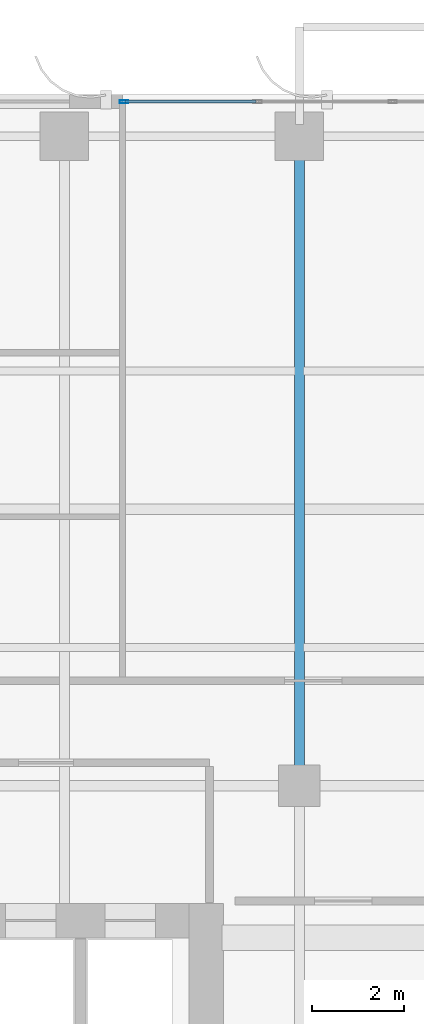
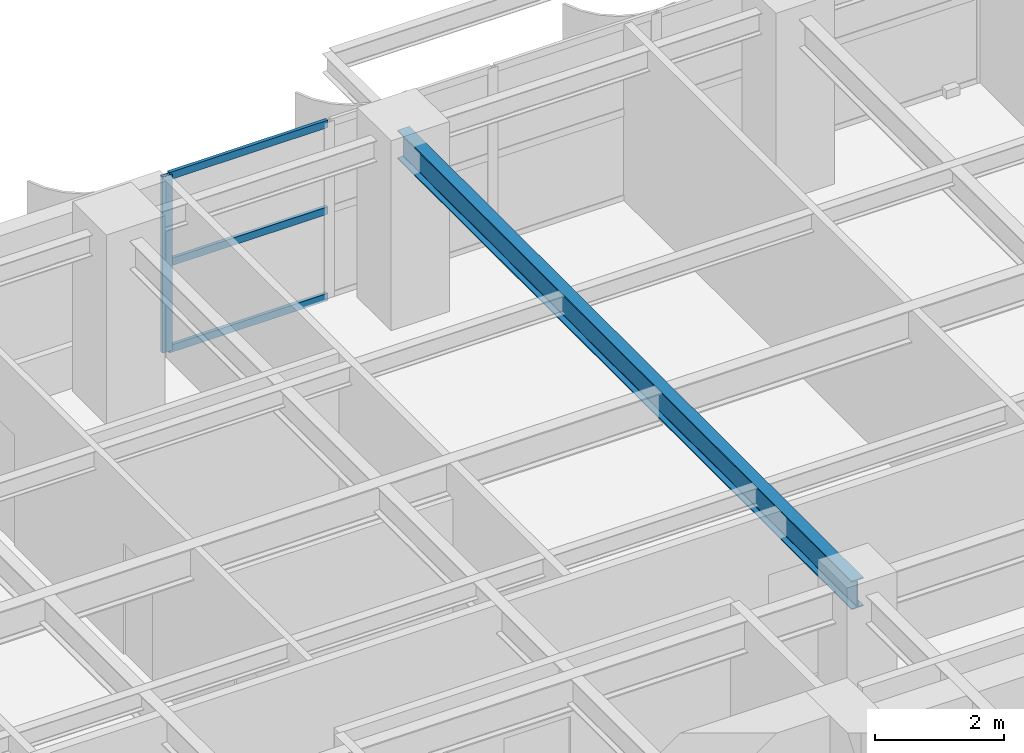
# One storey, part 13 of 27: 4 members, 1 beam, 1 element without a shape of its own.
"""IFC4 building model written with IfcOpenShell, lengths in metres."""

from ifc_helpers import new_model, si_unit, direction, frame, origin, origin_2d, place, context, subcontext, project, spatial, hollow_rectangle, i_section, extrude, source, transform, mapped, material, layer, layer_set, material_profile, profile_set, type_object, element, aggregate, save


model = new_model("IFC4")

# Units and contexts
model_context = context("Model", 3, precision=1e-05, world=origin(), true_north=direction((0.0, 1.0)))
body_context = subcontext(model_context, "Body", "Model", "MODEL_VIEW")
ifc_project = project(units=[si_unit("LENGTHUNIT", "METRE"), si_unit("AREAUNIT", "SQUARE_METRE"), si_unit("VOLUMEUNIT", "CUBIC_METRE"), si_unit("PLANEANGLEUNIT", "RADIAN"), si_unit("MASSUNIT", "GRAM", prefix="KILO")], contexts=[model_context])

# Site, building, storey
site_placement = place(None, origin())
site = spatial("IfcSite", under=ifc_project, at=site_placement, CompositionType="ELEMENT")
building_placement = place(site_placement, origin())
building = spatial("IfcBuilding", under=site, at=building_placement, Name="Khoralis Quay Care Tower", CompositionType="ELEMENT")
storey_placement = place(building_placement, frame((0.0, 0.0, 105.300048828125)))
storey = spatial("IfcBuildingStorey", under=building, at=storey_placement, Name="L27", CompositionType="ELEMENT", Elevation=105.300048828125)

# Beam
ifc_material_1 = material(Name="Steel S355", Category="steel")
ifc_material_profile_1 = material_profile(ifc_material_1, i_section(OverallWidth=0.2119140625, OverallDepth=0.5439453125, WebThickness=0.01318359375, FlangeThickness=0.021240234375, FilletRadius=0.01611328125, at=origin_2d()), Name="Steel S355")
ifc_profile_set_1 = profile_set([ifc_material_profile_1], Name="Steel S355")
beam_type = type_object("IfcBeamType", Name="BM-W530X123", PredefinedType="BEAM", material=ifc_profile_set_1)
shared_shape_1 = source(origin(), body_context, "Body", "SweptSolid", [
    extrude(i_section(OverallWidth=0.2119140625, OverallDepth=0.5439453125, WebThickness=0.01318359375, FlangeThickness=0.021240234375, FilletRadius=0.01611328125, at=origin_2d()), origin(), (0.0, 0.0, 1.0), 14.10009765625),
])
beam_placement = place(storey_placement, frame((17.10009765625, 30.0, 3.06787109375), z_axis=(0.0, 1.0, 0.0), x_axis=(-1.0, 0.0, 0.0)))
element("IfcBeam", 1, at=beam_placement, inside=storey, type_object=beam_type, Name="BM-TGYN-L27-171", PredefinedType="BEAM", context=body_context, shape_type="MappedRepresentation", body=[
    mapped(shared_shape_1, transform((0.0, 0.0, 0.0), scale=1.0)),
])

# Curtain wall, members
ifc_material_2 = material(Name="Pale anodised aluminium", Category="aluminium")
ifc_layer = layer(ifc_material_2, 0.169921875)
ifc_layer_set = layer_set([ifc_layer], Name="Pale anodised aluminium")
curtain_wall_type = type_object("IfcCurtainWallType", Name="CW-SYS-Z2", PredefinedType="NOTDEFINED", material=ifc_layer_set)
curtain_wall_placement = place(storey_placement, origin())
curtain_wall = element("IfcCurtainWall", 2, at=curtain_wall_placement, inside=storey, type_object=curtain_wall_type, Name="L27 Unitised Curtain Wall CW-L27-P1-E10", PredefinedType="NOTDEFINED")
ifc_material_profile_2 = material_profile(ifc_material_2, hollow_rectangle(XDim=0.06494140625, YDim=0.179931640625, WallThickness=0.00390625, at=origin_2d()), Name="Pale anodised aluminium")
ifc_profile_set_2 = profile_set([ifc_material_profile_2], Name="Pale anodised aluminium")
member_type_1 = type_object("IfcMemberType", Name="CW-MUL-180", PredefinedType="MULLION", material=ifc_profile_set_2)
shared_shape_2 = source(origin(), body_context, "Body", "SweptSolid", [
    extrude(hollow_rectangle(XDim=0.06494140625, YDim=0.179931640625, WallThickness=0.00390625, at=origin_2d()), origin(), (0.0, 0.0, 1.0), 3.33984375),
])
member_1_placement = place(storey_placement, frame((13.2900390625, 44.85009765625, 0.0), z_axis=(0.0, 0.0, 1.0), x_axis=(0.0, -1.0, 0.0)))
member_1 = element("IfcMember", 3, at=member_1_placement, type_object=member_type_1, Name="CW2 mullion 6", PredefinedType="MULLION", context=body_context, shape_type="MappedRepresentation", body=[
    mapped(shared_shape_2, transform((0.0, 0.0, 0.0), scale=1.0)),
])
ifc_material_profile_3 = material_profile(ifc_material_2, hollow_rectangle(XDim=0.06005859375, YDim=0.139892578125, WallThickness=0.00390625, at=origin_2d()), Name="Pale anodised aluminium")
ifc_profile_set_3 = profile_set([ifc_material_profile_3], Name="Pale anodised aluminium")
member_type_2 = type_object("IfcMemberType", Name="CW-TRN-140", PredefinedType="USERDEFINED", material=ifc_profile_set_3)
shared_shape_3 = source(origin(), body_context, "Body", "SweptSolid", [
    extrude(hollow_rectangle(XDim=0.06005859375, YDim=0.139892578125, WallThickness=0.00390625, at=origin_2d()), origin(), (0.0, 0.0, 1.0), 2.842041015625),
])
member_2_placement = place(storey_placement, frame((16.162109375, 44.85009765625, 0.030029296875), z_axis=(-1.0, 0.0, 0.0), x_axis=(0.0, -1.0, 0.0)))
member_2 = element("IfcMember", 4, at=member_2_placement, type_object=member_type_2, Name="CW2 transom 5.1", ObjectType="TRANSOM", PredefinedType="USERDEFINED", context=body_context, shape_type="MappedRepresentation", body=[
    mapped(shared_shape_3, transform((0.0, 0.0, 0.0), scale=1.0)),
])
member_3_placement = place(storey_placement, frame((16.162109375, 44.85009765625, 1.669921875), z_axis=(-1.0, 0.0, 0.0), x_axis=(0.0, -1.0, 0.0)))
member_3 = element("IfcMember", 5, at=member_3_placement, type_object=member_type_2, Name="CW2 transom 5.2", ObjectType="TRANSOM", PredefinedType="USERDEFINED", context=body_context, shape_type="MappedRepresentation", body=[
    mapped(shared_shape_3, transform((0.0, 0.0, 0.0), scale=1.0)),
])
member_4_placement = place(storey_placement, frame((16.162109375, 44.85009765625, 3.31005859375), z_axis=(-1.0, 0.0, 0.0), x_axis=(0.0, -1.0, 0.0)))
member_4 = element("IfcMember", 6, at=member_4_placement, type_object=member_type_2, Name="CW2 transom 5.3", ObjectType="TRANSOM", PredefinedType="USERDEFINED", context=body_context, shape_type="MappedRepresentation", body=[
    mapped(shared_shape_3, transform((0.0, 0.0, 0.0), scale=1.0)),
])
aggregate(curtain_wall, [member_1, member_2, member_3, member_4])

save(model, "model.ifc")
